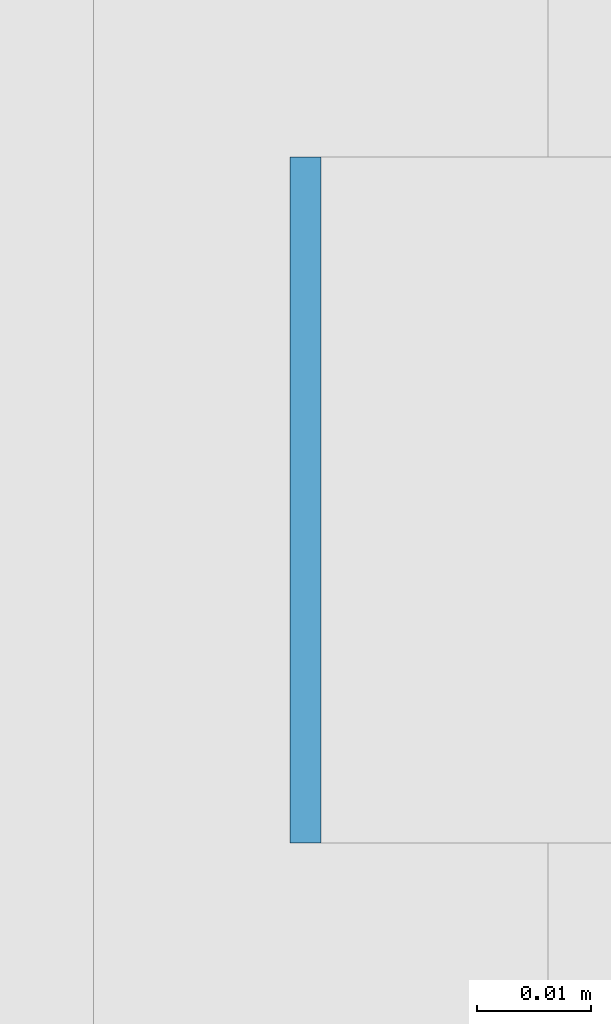
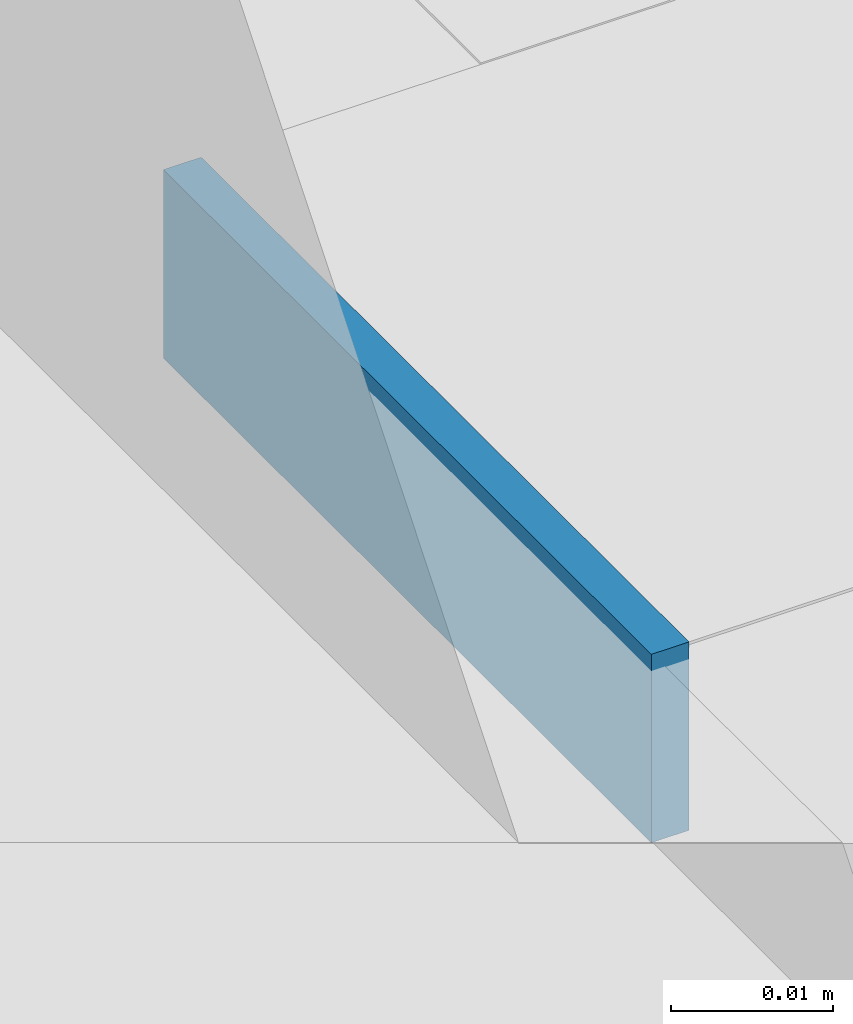
# One storey, part 553 of 646: 1 discrete accessory.
"""IFC4 building model written with IfcOpenShell, lengths in metres."""

from ifc_helpers import new_model, si_unit, direction, frame, origin, origin_2d, place, context, subcontext, project, spatial, rectangle, extrude, material, type_object, element, save


model = new_model("IFC4")

# Units and contexts
model_context = context("Model", 3, precision=1e-05, world=origin(), true_north=direction((0.0, 1.0)))
body_context = subcontext(model_context, "Body", "Model", "MODEL_VIEW")
ifc_project = project(units=[si_unit("LENGTHUNIT", "METRE"), si_unit("AREAUNIT", "SQUARE_METRE"), si_unit("VOLUMEUNIT", "CUBIC_METRE"), si_unit("PLANEANGLEUNIT", "RADIAN"), si_unit("MASSUNIT", "GRAM", prefix="KILO")], contexts=[model_context])

# Site, building, storey
site_placement = place(None, origin())
site = spatial("IfcSite", under=ifc_project, at=site_placement, CompositionType="ELEMENT")
building_placement = place(site_placement, origin())
building = spatial("IfcBuilding", under=site, at=building_placement, Name="Silverbay Arena", CompositionType="ELEMENT")
storey_placement = place(building_placement, frame((0.0, 0.0, 33.5)))
storey = spatial("IfcBuildingStorey", under=building, at=storey_placement, Name="L05", CompositionType="ELEMENT", Elevation=33.5)

# Discrete accessory
ifc_material = material(Name="Steel S355", Category="steel")
discrete_accessory_type = type_object("IfcDiscreteAccessoryType", Name="Steel bracket plate", PredefinedType="BRACKET", material=ifc_material)
discrete_accessory_placement = place(storey_placement, frame((207.128662109375, 97.71435546875, 12.98583984375), z_axis=(0.0, 0.0, 1.0), x_axis=(1.0, 0.0, 0.0)))
element("IfcDiscreteAccessory", 1, at=discrete_accessory_placement, inside=storey, type_object=discrete_accessory_type, Name="Curtain wall packing plate", PredefinedType="BRACKET", context=body_context, shape_type="SweptSolid", body=[
    extrude(rectangle(XDim=0.002685546875, YDim=0.06005859375, at=origin_2d()), origin(), (0.0, 0.0, 1.0), 0.01416015625),
])

save(model, "model.ifc")
